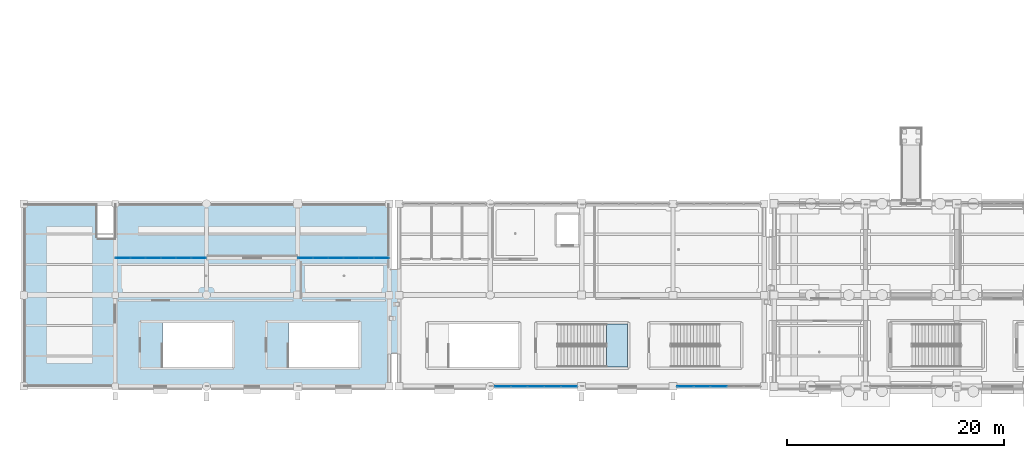
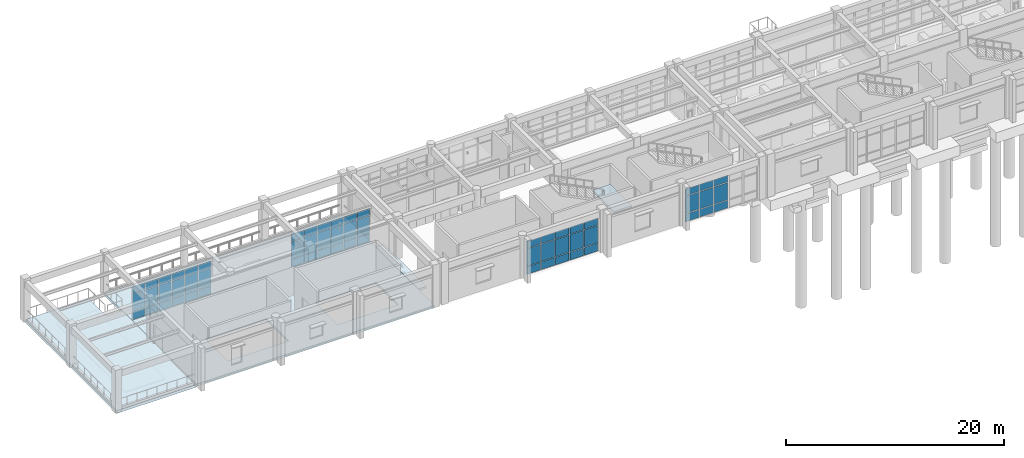
# One storey, part 73 of 111: 60 plates, 5 slabs, 5 elements without a shape of their own.
"""IFC4 building model written with IfcOpenShell, lengths in metres."""

import ifcopenshell
import ifcopenshell.guid

model = None  # the IFC model being written
_history = None  # IfcOwnerHistory: only IFC2X3 demands one
_inside = {}  # id of a spatial element -> (the spatial element, [elements in it])
_under = {}  # id of a project, library or spatial element -> (it, [spatial elements below it])
_declared = {}  # id of a project -> (the project, [libraries it declares])
_typed = {}  # id of a type object -> (the type object, [elements of that type])
_made_of = {}  # id of a material, layer set ... -> (it, [elements and type objects made of it])


def new_model(schema):
    """Start an empty IFC model of exactly this schema.

    Asked for "IFC4X3", IfcOpenShell would pick the latest addendum, in which some entities
    have other attributes; the version numbers below select the first issue.
    IFC2X3 requires an IfcOwnerHistory on every rooted entity: one is made here for all.
    """
    global model, _history
    if schema == "IFC4X3":
        model = ifcopenshell.file(schema_version=(4, 3, 0, 0))
    else:
        model = ifcopenshell.file(schema=schema)
    _inside.clear()
    _under.clear()
    _declared.clear()
    _typed.clear()
    _made_of.clear()
    _history = None
    if model.schema == "IFC2X3":
        org = make("IfcOrganization", Name="unknown")
        user = make(
            "IfcPersonAndOrganization",
            ThePerson=make("IfcPerson", FamilyName="unknown"),
            TheOrganization=org,
        )
        app = make(
            "IfcApplication",
            ApplicationDeveloper=org,
            Version="unknown",
            ApplicationFullName="unknown",
            ApplicationIdentifier="unknown",
        )
        _history = make(
            "IfcOwnerHistory",
            OwningUser=user,
            OwningApplication=app,
            ChangeAction="ADDED",
            CreationDate=0,
        )
    return model


def make(cls, **values):
    """One entity of the class cls with the attributes given. An attribute that is None is left unset."""
    return model.create_entity(
        cls, **{name: value for name, value in values.items() if value is not None}
    )


def rooted(cls, **values):
    """An entity with a GlobalId (a new one), such as an element, a storey or a relation."""
    return make(cls, GlobalId=ifcopenshell.guid.new(), OwnerHistory=_history, **values)


def si_unit(unit_type, name, prefix=None):
    """IfcSIUnit, for example si_unit("LENGTHUNIT", "METRE", prefix="MILLI")."""
    return make("IfcSIUnit", UnitType=unit_type, Prefix=prefix, Name=name)


def assignment(units):
    """IfcUnitAssignment: the units of a project."""
    return None if units is None else make("IfcUnitAssignment", Units=units)


def point(xyz):
    """IfcCartesianPoint."""
    return None if xyz is None else make("IfcCartesianPoint", Coordinates=xyz)


def direction(xyz):
    """IfcDirection."""
    return None if xyz is None else make("IfcDirection", DirectionRatios=xyz)


def frame(location, z_axis=None, x_axis=None):
    """IfcAxis2Placement3D, a coordinate frame: its origin and axes. An axis left out is left unset."""
    return make(
        "IfcAxis2Placement3D",
        Location=point(location),
        Axis=direction(z_axis),
        RefDirection=direction(x_axis),
    )


def frame_2d(location, x_axis=None):
    """IfcAxis2Placement2D, a coordinate frame in the plane: its origin and x axis."""
    return make(
        "IfcAxis2Placement2D", Location=point(location), RefDirection=direction(x_axis)
    )


def origin():
    """The frame at (0, 0, 0) with its axes left unset."""
    return frame((0.0, 0.0, 0.0))


def origin_2d():
    """The frame at (0, 0) in the plane with its x axis left unset."""
    return frame_2d((0.0, 0.0))


def place(relative_to, where):
    """IfcLocalPlacement: puts the frame where relative to a parent placement (None: the world)."""
    return make(
        "IfcLocalPlacement", PlacementRelTo=relative_to, RelativePlacement=where
    )


def context(
    kind, dimensions, precision=None, world=None, true_north=None, identifier=None
):
    """IfcGeometricRepresentationContext, for example the 3D "Model" context."""
    return make(
        "IfcGeometricRepresentationContext",
        ContextIdentifier=identifier,
        ContextType=kind,
        CoordinateSpaceDimension=dimensions,
        Precision=precision,
        WorldCoordinateSystem=world,
        TrueNorth=true_north,
    )


def subcontext(parent, identifier, kind, view, scale=None):
    """IfcGeometricRepresentationSubContext, for example "Body" below "Model"."""
    return make(
        "IfcGeometricRepresentationSubContext",
        ContextIdentifier=identifier,
        ContextType=kind,
        ParentContext=parent,
        TargetScale=scale,
        TargetView=view,
    )


def project(units=None, contexts=None):
    """IfcProject with its units and contexts."""
    return rooted(
        "IfcProject",
        Name="project",
        RepresentationContexts=contexts,
        UnitsInContext=assignment(units),
    )


def spatial(cls, under=None, at=None, **own):
    """A site, building, storey or space (cls), placed at a placement, below another one or the project."""
    s = rooted(cls, ObjectPlacement=at, **own)
    if under is not None:
        _under.setdefault(under.id(), (under, []))[1].append(s)
    return s


def polyline(points):
    """IfcPolyline through the points."""
    return make("IfcPolyline", Points=[point(p) for p in points])


def profile(cls, at=None, kind="AREA", **sizes):
    """A parametric profile (cls). Its sizes go by their IFC names, for example OverallWidth=200.0."""
    return make(cls, ProfileType=kind, Position=at, **sizes)


def rectangle(**sizes):
    """IfcRectangleProfileDef."""
    return profile("IfcRectangleProfileDef", **sizes)


def outline(outer, holes=None, kind="AREA"):
    """IfcArbitraryClosedProfileDef: a profile drawn as a closed curve; with holes, ...WithVoids."""
    if holes is None:
        return make("IfcArbitraryClosedProfileDef", ProfileType=kind, OuterCurve=outer)
    return make(
        "IfcArbitraryProfileDefWithVoids",
        ProfileType=kind,
        OuterCurve=outer,
        InnerCurves=holes,
    )


def extrude(swept, where, along, depth):
    """IfcExtrudedAreaSolid: the profile swept, set in the frame where, extruded along a direction by depth."""
    return make(
        "IfcExtrudedAreaSolid",
        SweptArea=swept,
        Position=where,
        ExtrudedDirection=direction(along),
        Depth=depth,
    )


def shape(context_of_items, identifier, shape_type, items):
    """IfcShapeRepresentation: the items that make up one representation, for example the "Body"."""
    return make(
        "IfcShapeRepresentation",
        ContextOfItems=context_of_items,
        RepresentationIdentifier=identifier,
        RepresentationType=shape_type,
        Items=items,
    )


def material(Name=None, Category=None):
    """IfcMaterial."""
    return make("IfcMaterial", Name=Name, Category=Category)


def layer(
    of_material, thickness, ventilated=None, Name=None, Category=None, Priority=None
):
    """IfcMaterialLayer: one layer of a wall or slab, of a material (None: an air gap)."""
    return make(
        "IfcMaterialLayer",
        Material=of_material,
        LayerThickness=thickness,
        IsVentilated=ventilated,
        Name=Name,
        Category=Category,
        Priority=Priority,
    )


def layer_set(layers, Name=None):
    """IfcMaterialLayerSet."""
    return make("IfcMaterialLayerSet", MaterialLayers=layers, LayerSetName=Name)


def made_of(thing, what):
    """Note that an element or type object is made of a material, layer set ...; save() writes the relation."""
    if what is not None:
        _made_of.setdefault(what.id(), (what, []))[1].append(thing)
    return thing


def type_object(cls, material=None, **own):
    """A type object (cls), such as IfcWallType, which elements share."""
    return made_of(rooted(cls, **own), material)


def element(
    cls,
    number,
    at=None,
    inside=None,
    cuts=None,
    type_object=None,
    material=None,
    context=None,
    identifier="Body",
    shape_type=None,
    held_by="IfcProductDefinitionShape",
    body=None,
    shapes=None,
    **own,
):
    """One element of the class cls, such as IfcWall. Its Tag is "e" and its number.

    at: its placement. inside: the storey or other place that contains it. cuts: it is an
    opening in that element (IfcRelVoidsElement). A single representation is given by context,
    identifier, shape_type and body (its items); several are given by shapes. held_by: the class
    of the entity that holds the representations. save() writes the other relations.
    """
    e = rooted(cls, Tag="e%d" % number, ObjectPlacement=at, **own)
    if body is not None:
        shapes = [shape(context, identifier, shape_type, body)]
    if shapes is not None:
        e.Representation = make(held_by, Representations=shapes)
    if inside is not None:
        _inside.setdefault(inside.id(), (inside, []))[1].append(e)
    if cuts is not None:
        rooted(
            "IfcRelVoidsElement", RelatingBuildingElement=cuts, RelatedOpeningElement=e
        )
    if type_object is not None:
        _typed.setdefault(type_object.id(), (type_object, []))[1].append(e)
    return made_of(e, material)


def aggregate(whole, parts):
    """IfcRelAggregates: a whole, such as a stair, and the parts it consists of."""
    return rooted("IfcRelAggregates", RelatingObject=whole, RelatedObjects=parts)


def save(model, path):
    """Write the relations noted so far, then the file.

    IfcRelAggregates (storeys below a building ...), IfcRelContainedInSpatialStructure (elements
    in a storey), IfcRelDefinesByType, IfcRelAssociatesMaterial and IfcRelDeclares: one each for
    every whole, place, type object, material and project.
    """
    for whole, parts in _under.values():
        aggregate(whole, parts)
    for where, things in _inside.values():
        rooted(
            "IfcRelContainedInSpatialStructure",
            RelatedElements=things,
            RelatingStructure=where,
        )
    for kind, things in _typed.values():
        rooted("IfcRelDefinesByType", RelatedObjects=things, RelatingType=kind)
    for what, things in _made_of.values():
        rooted("IfcRelAssociatesMaterial", RelatedObjects=things, RelatingMaterial=what)
    for by, libraries in _declared.values():
        rooted("IfcRelDeclares", RelatingContext=by, RelatedDefinitions=libraries)
    model.write(path)


model = new_model("IFC4")

# Units and contexts
model_context = context("Model", 3, precision=1e-05, world=origin(), true_north=direction((0.0, 1.0)))
body_context = subcontext(model_context, "Body", "Model", "MODEL_VIEW")
ifc_project = project(units=[si_unit("LENGTHUNIT", "METRE"), si_unit("AREAUNIT", "SQUARE_METRE"), si_unit("VOLUMEUNIT", "CUBIC_METRE"), si_unit("PLANEANGLEUNIT", "RADIAN"), si_unit("MASSUNIT", "GRAM", prefix="KILO")], contexts=[model_context])

# Site, building, storey
site_placement = place(None, origin())
site = spatial("IfcSite", under=ifc_project, at=site_placement, CompositionType="ELEMENT")
building_placement = place(site_placement, origin())
building = spatial("IfcBuilding", under=site, at=building_placement, Name="Canglan Escarpment Cableway Terminal", CompositionType="ELEMENT")
storey_placement = place(building_placement, frame((0.0, 0.0, 4.800048828125)))
storey = spatial("IfcBuildingStorey", under=building, at=storey_placement, Name="L01", CompositionType="ELEMENT", Elevation=4.800048828125)

# Curtain wall, plates
ifc_material_1 = material(Name="Anodized bronze aluminium and Low-E double glazing", Category="aluminium")
curtain_wall_type_1 = type_object("IfcCurtainWallType", Name="CW-BAY-8400x3775", PredefinedType="NOTDEFINED", material=ifc_material_1)
curtain_wall_1_placement = place(storey_placement, origin())
curtain_wall_1 = element("IfcCurtainWall", 1, at=curtain_wall_1_placement, inside=storey, type_object=curtain_wall_type_1, Name="Classical bay-between-piers glazed curtain wall CW-02", PredefinedType="NOTDEFINED")
ifc_material_2 = material(Name="Double-silver Low-E laminated insulating glass", Category="glass")
ifc_layer_1 = layer(ifc_material_2, 0.028076171875, Name="Double-silver Low-E laminated insulating glass")
ifc_layer_set_1 = layer_set([ifc_layer_1], Name="Double-silver Low-E laminated insulating glass")
plate_type_1 = type_object("IfcPlateType", Name="CWP-02", PredefinedType="CURTAIN_PANEL", material=ifc_layer_set_1)
plate_1_placement = place(storey_placement, frame((24.083740234375, 19.800048828125, 0.06005859375), z_axis=(0.0, 0.0, 1.0), x_axis=(-1.0, 0.0, 0.0)))
plate_1 = element("IfcPlate", 2, at=plate_1_placement, type_object=plate_type_1, Name="CW-02 panel 1.1", PredefinedType="CURTAIN_PANEL", context=body_context, shape_type="SweptSolid", body=[
    extrude(rectangle(XDim=1.302490234375, YDim=0.028076171875, at=origin_2d()), origin(), (0.0, 0.0, 1.0), 0.860107421875),
])
plate_2_placement = place(storey_placement, frame((24.083740234375, 19.800048828125, 0.97998046875), z_axis=(0.0, 0.0, 1.0), x_axis=(-1.0, 0.0, 0.0)))
plate_2 = element("IfcPlate", 3, at=plate_2_placement, type_object=plate_type_1, Name="CW-02 panel 1.2", PredefinedType="CURTAIN_PANEL", context=body_context, shape_type="SweptSolid", body=[
    extrude(rectangle(XDim=1.302490234375, YDim=0.028076171875, at=origin_2d()), origin(), (0.0, 0.0, 1.0), 1.925048828125),
])
plate_3_placement = place(storey_placement, frame((24.083740234375, 19.800048828125, 2.96484375), z_axis=(0.0, 0.0, 1.0), x_axis=(-1.0, 0.0, 0.0)))
plate_3 = element("IfcPlate", 4, at=plate_3_placement, type_object=plate_type_1, Name="CW-02 panel 1.3", PredefinedType="CURTAIN_PANEL", context=body_context, shape_type="SweptSolid", body=[
    extrude(rectangle(XDim=1.302490234375, YDim=0.028076171875, at=origin_2d()), origin(), (0.0, 0.0, 1.0), 0.760009765625),
])
plate_4_placement = place(storey_placement, frame((22.699951171875, 19.800048828125, 0.06005859375), z_axis=(0.0, 0.0, 1.0), x_axis=(-1.0, 0.0, 0.0)))
plate_4 = element("IfcPlate", 5, at=plate_4_placement, type_object=plate_type_1, Name="CW-02 panel 2.1", PredefinedType="CURTAIN_PANEL", context=body_context, shape_type="SweptSolid", body=[
    extrude(rectangle(XDim=1.3349609375, YDim=0.028076171875, at=origin_2d()), origin(), (0.0, 0.0, 1.0), 0.860107421875),
])
plate_5_placement = place(storey_placement, frame((22.699951171875, 19.800048828125, 0.97998046875), z_axis=(0.0, 0.0, 1.0), x_axis=(-1.0, 0.0, 0.0)))
plate_5 = element("IfcPlate", 6, at=plate_5_placement, type_object=plate_type_1, Name="CW-02 panel 2.2", PredefinedType="CURTAIN_PANEL", context=body_context, shape_type="SweptSolid", body=[
    extrude(rectangle(XDim=1.3349609375, YDim=0.028076171875, at=origin_2d()), origin(), (0.0, 0.0, 1.0), 1.925048828125),
])
plate_6_placement = place(storey_placement, frame((22.699951171875, 19.800048828125, 2.96484375), z_axis=(0.0, 0.0, 1.0), x_axis=(-1.0, 0.0, 0.0)))
plate_6 = element("IfcPlate", 7, at=plate_6_placement, type_object=plate_type_1, Name="CW-02 panel 2.3", PredefinedType="CURTAIN_PANEL", context=body_context, shape_type="SweptSolid", body=[
    extrude(rectangle(XDim=1.3349609375, YDim=0.028076171875, at=origin_2d()), origin(), (0.0, 0.0, 1.0), 0.760009765625),
])
plate_7_placement = place(storey_placement, frame((21.300048828125, 19.800048828125, 0.06005859375), z_axis=(0.0, 0.0, 1.0), x_axis=(-1.0, 0.0, 0.0)))
plate_7 = element("IfcPlate", 8, at=plate_7_placement, type_object=plate_type_1, Name="CW-02 panel 3.1", PredefinedType="CURTAIN_PANEL", context=body_context, shape_type="SweptSolid", body=[
    extrude(rectangle(XDim=1.3349609375, YDim=0.028076171875, at=origin_2d()), origin(), (0.0, 0.0, 1.0), 0.860107421875),
])
plate_8_placement = place(storey_placement, frame((21.300048828125, 19.800048828125, 0.97998046875), z_axis=(0.0, 0.0, 1.0), x_axis=(-1.0, 0.0, 0.0)))
plate_8 = element("IfcPlate", 9, at=plate_8_placement, type_object=plate_type_1, Name="CW-02 panel 3.2", PredefinedType="CURTAIN_PANEL", context=body_context, shape_type="SweptSolid", body=[
    extrude(rectangle(XDim=1.3349609375, YDim=0.028076171875, at=origin_2d()), origin(), (0.0, 0.0, 1.0), 1.925048828125),
])
plate_9_placement = place(storey_placement, frame((21.300048828125, 19.800048828125, 2.96484375), z_axis=(0.0, 0.0, 1.0), x_axis=(-1.0, 0.0, 0.0)))
plate_9 = element("IfcPlate", 10, at=plate_9_placement, type_object=plate_type_1, Name="CW-02 panel 3.3", PredefinedType="CURTAIN_PANEL", context=body_context, shape_type="SweptSolid", body=[
    extrude(rectangle(XDim=1.3349609375, YDim=0.028076171875, at=origin_2d()), origin(), (0.0, 0.0, 1.0), 0.760009765625),
])
plate_10_placement = place(storey_placement, frame((19.89990234375, 19.800048828125, 0.06005859375), z_axis=(0.0, 0.0, 1.0), x_axis=(-1.0, 0.0, 0.0)))
plate_10 = element("IfcPlate", 11, at=plate_10_placement, type_object=plate_type_1, Name="CW-02 panel 4.1", PredefinedType="CURTAIN_PANEL", context=body_context, shape_type="SweptSolid", body=[
    extrude(rectangle(XDim=1.3349609375, YDim=0.028076171875, at=origin_2d()), origin(), (0.0, 0.0, 1.0), 0.860107421875),
])
plate_11_placement = place(storey_placement, frame((19.89990234375, 19.800048828125, 0.97998046875), z_axis=(0.0, 0.0, 1.0), x_axis=(-1.0, 0.0, 0.0)))
plate_11 = element("IfcPlate", 12, at=plate_11_placement, type_object=plate_type_1, Name="CW-02 panel 4.2", PredefinedType="CURTAIN_PANEL", context=body_context, shape_type="SweptSolid", body=[
    extrude(rectangle(XDim=1.3349609375, YDim=0.028076171875, at=origin_2d()), origin(), (0.0, 0.0, 1.0), 1.925048828125),
])
plate_12_placement = place(storey_placement, frame((19.89990234375, 19.800048828125, 2.96484375), z_axis=(0.0, 0.0, 1.0), x_axis=(-1.0, 0.0, 0.0)))
plate_12 = element("IfcPlate", 13, at=plate_12_placement, type_object=plate_type_1, Name="CW-02 panel 4.3", PredefinedType="CURTAIN_PANEL", context=body_context, shape_type="SweptSolid", body=[
    extrude(rectangle(XDim=1.3349609375, YDim=0.028076171875, at=origin_2d()), origin(), (0.0, 0.0, 1.0), 0.760009765625),
])
plate_13_placement = place(storey_placement, frame((18.5, 19.800048828125, 0.06005859375), z_axis=(0.0, 0.0, 1.0), x_axis=(-1.0, 0.0, 0.0)))
plate_13 = element("IfcPlate", 14, at=plate_13_placement, type_object=plate_type_1, Name="CW-02 panel 5.1", PredefinedType="CURTAIN_PANEL", context=body_context, shape_type="SweptSolid", body=[
    extrude(rectangle(XDim=1.3349609375, YDim=0.028076171875, at=origin_2d()), origin(), (0.0, 0.0, 1.0), 0.860107421875),
])
plate_14_placement = place(storey_placement, frame((18.5, 19.800048828125, 0.97998046875), z_axis=(0.0, 0.0, 1.0), x_axis=(-1.0, 0.0, 0.0)))
plate_14 = element("IfcPlate", 15, at=plate_14_placement, type_object=plate_type_1, Name="CW-02 panel 5.2", PredefinedType="CURTAIN_PANEL", context=body_context, shape_type="SweptSolid", body=[
    extrude(rectangle(XDim=1.3349609375, YDim=0.028076171875, at=origin_2d()), origin(), (0.0, 0.0, 1.0), 1.925048828125),
])
plate_15_placement = place(storey_placement, frame((18.5, 19.800048828125, 2.96484375), z_axis=(0.0, 0.0, 1.0), x_axis=(-1.0, 0.0, 0.0)))
plate_15 = element("IfcPlate", 16, at=plate_15_placement, type_object=plate_type_1, Name="CW-02 panel 5.3", PredefinedType="CURTAIN_PANEL", context=body_context, shape_type="SweptSolid", body=[
    extrude(rectangle(XDim=1.3349609375, YDim=0.028076171875, at=origin_2d()), origin(), (0.0, 0.0, 1.0), 0.760009765625),
])
plate_16_placement = place(storey_placement, frame((17.1162109375, 19.800048828125, 0.06005859375), z_axis=(0.0, 0.0, 1.0), x_axis=(-1.0, 0.0, 0.0)))
plate_16 = element("IfcPlate", 17, at=plate_16_placement, type_object=plate_type_1, Name="CW-02 panel 6.1", PredefinedType="CURTAIN_PANEL", context=body_context, shape_type="SweptSolid", body=[
    extrude(rectangle(XDim=1.302490234375, YDim=0.028076171875, at=origin_2d()), origin(), (0.0, 0.0, 1.0), 0.860107421875),
])
plate_17_placement = place(storey_placement, frame((17.1162109375, 19.800048828125, 0.97998046875), z_axis=(0.0, 0.0, 1.0), x_axis=(-1.0, 0.0, 0.0)))
plate_17 = element("IfcPlate", 18, at=plate_17_placement, type_object=plate_type_1, Name="CW-02 panel 6.2", PredefinedType="CURTAIN_PANEL", context=body_context, shape_type="SweptSolid", body=[
    extrude(rectangle(XDim=1.302490234375, YDim=0.028076171875, at=origin_2d()), origin(), (0.0, 0.0, 1.0), 1.925048828125),
])
plate_18_placement = place(storey_placement, frame((17.1162109375, 19.800048828125, 2.96484375), z_axis=(0.0, 0.0, 1.0), x_axis=(-1.0, 0.0, 0.0)))
plate_18 = element("IfcPlate", 19, at=plate_18_placement, type_object=plate_type_1, Name="CW-02 panel 6.3", PredefinedType="CURTAIN_PANEL", context=body_context, shape_type="SweptSolid", body=[
    extrude(rectangle(XDim=1.302490234375, YDim=0.028076171875, at=origin_2d()), origin(), (0.0, 0.0, 1.0), 0.760009765625),
])
aggregate(curtain_wall_1, [plate_1, plate_2, plate_3, plate_4, plate_5, plate_6, plate_7, plate_8, plate_9, plate_10, plate_11, plate_12, plate_13, plate_14, plate_15, plate_16, plate_17, plate_18])

curtain_wall_type_2 = type_object("IfcCurtainWallType", Name="CW-BAY-7700x3775", PredefinedType="NOTDEFINED", material=ifc_material_1)
curtain_wall_2_placement = place(storey_placement, origin())
curtain_wall_2 = element("IfcCurtainWall", 20, at=curtain_wall_2_placement, inside=storey, type_object=curtain_wall_type_2, Name="Classical bay-between-piers glazed curtain wall CW-04", PredefinedType="NOTDEFINED")
plate_19_placement = place(storey_placement, frame((68.836181640625, 8.0, 0.06494140625), z_axis=(0.0, 0.0, 1.0), x_axis=(1.0, 0.0, 0.0)))
plate_19 = element("IfcPlate", 21, at=plate_19_placement, type_object=plate_type_1, Name="CW-04 panel 1.1", PredefinedType="CURTAIN_PANEL", context=body_context, shape_type="SweptSolid", body=[
    extrude(rectangle(XDim=1.4423828125, YDim=0.028076171875, at=origin_2d()), origin(), (0.0, 0.0, 1.0), 0.8525390625),
])
plate_20_placement = place(storey_placement, frame((68.836181640625, 8.0, 0.982421875), z_axis=(0.0, 0.0, 1.0), x_axis=(1.0, 0.0, 0.0)))
plate_20 = element("IfcPlate", 22, at=plate_20_placement, type_object=plate_type_1, Name="CW-04 panel 1.2", PredefinedType="CURTAIN_PANEL", context=body_context, shape_type="SweptSolid", body=[
    extrude(rectangle(XDim=1.4423828125, YDim=0.028076171875, at=origin_2d()), origin(), (0.0, 0.0, 1.0), 1.919921875),
])
plate_21_placement = place(storey_placement, frame((68.836181640625, 8.0, 2.967529296875), z_axis=(0.0, 0.0, 1.0), x_axis=(1.0, 0.0, 0.0)))
plate_21 = element("IfcPlate", 23, at=plate_21_placement, type_object=plate_type_1, Name="CW-04 panel 1.3", PredefinedType="CURTAIN_PANEL", context=body_context, shape_type="SweptSolid", body=[
    extrude(rectangle(XDim=1.4423828125, YDim=0.028076171875, at=origin_2d()), origin(), (0.0, 0.0, 1.0), 0.75244140625),
])
plate_22_placement = place(storey_placement, frame((70.360107421875, 8.0, 0.06494140625), z_axis=(0.0, 0.0, 1.0), x_axis=(1.0, 0.0, 0.0)))
plate_22 = element("IfcPlate", 24, at=plate_22_placement, type_object=plate_type_1, Name="CW-04 panel 2.1", PredefinedType="CURTAIN_PANEL", context=body_context, shape_type="SweptSolid", body=[
    extrude(rectangle(XDim=1.47509765625, YDim=0.028076171875, at=origin_2d()), origin(), (0.0, 0.0, 1.0), 0.8525390625),
])
plate_23_placement = place(storey_placement, frame((70.360107421875, 8.0, 0.982421875), z_axis=(0.0, 0.0, 1.0), x_axis=(1.0, 0.0, 0.0)))
plate_23 = element("IfcPlate", 25, at=plate_23_placement, type_object=plate_type_1, Name="CW-04 panel 2.2", PredefinedType="CURTAIN_PANEL", context=body_context, shape_type="SweptSolid", body=[
    extrude(rectangle(XDim=1.47509765625, YDim=0.028076171875, at=origin_2d()), origin(), (0.0, 0.0, 1.0), 1.919921875),
])
plate_24_placement = place(storey_placement, frame((70.360107421875, 8.0, 2.967529296875), z_axis=(0.0, 0.0, 1.0), x_axis=(1.0, 0.0, 0.0)))
plate_24 = element("IfcPlate", 26, at=plate_24_placement, type_object=plate_type_1, Name="CW-04 panel 2.3", PredefinedType="CURTAIN_PANEL", context=body_context, shape_type="SweptSolid", body=[
    extrude(rectangle(XDim=1.47509765625, YDim=0.028076171875, at=origin_2d()), origin(), (0.0, 0.0, 1.0), 0.75244140625),
])
plate_25_placement = place(storey_placement, frame((71.89990234375, 8.0, 0.06494140625), z_axis=(0.0, 0.0, 1.0), x_axis=(1.0, 0.0, 0.0)))
plate_25 = element("IfcPlate", 27, at=plate_25_placement, type_object=plate_type_1, Name="CW-04 panel 3.1", PredefinedType="CURTAIN_PANEL", context=body_context, shape_type="SweptSolid", body=[
    extrude(rectangle(XDim=1.47509765625, YDim=0.028076171875, at=origin_2d()), origin(), (0.0, 0.0, 1.0), 0.8525390625),
])
plate_26_placement = place(storey_placement, frame((71.89990234375, 8.0, 0.982421875), z_axis=(0.0, 0.0, 1.0), x_axis=(1.0, 0.0, 0.0)))
plate_26 = element("IfcPlate", 28, at=plate_26_placement, type_object=plate_type_1, Name="CW-04 panel 3.2", PredefinedType="CURTAIN_PANEL", context=body_context, shape_type="SweptSolid", body=[
    extrude(rectangle(XDim=1.47509765625, YDim=0.028076171875, at=origin_2d()), origin(), (0.0, 0.0, 1.0), 1.919921875),
])
plate_27_placement = place(storey_placement, frame((71.89990234375, 8.0, 2.967529296875), z_axis=(0.0, 0.0, 1.0), x_axis=(1.0, 0.0, 0.0)))
plate_27 = element("IfcPlate", 29, at=plate_27_placement, type_object=plate_type_1, Name="CW-04 panel 3.3", PredefinedType="CURTAIN_PANEL", context=body_context, shape_type="SweptSolid", body=[
    extrude(rectangle(XDim=1.47509765625, YDim=0.028076171875, at=origin_2d()), origin(), (0.0, 0.0, 1.0), 0.75244140625),
])
aggregate(curtain_wall_2, [plate_19, plate_20, plate_21, plate_22, plate_23, plate_24, plate_25, plate_26, plate_27])

curtain_wall_3_placement = place(storey_placement, origin())
curtain_wall_3 = element("IfcCurtainWall", 30, at=curtain_wall_3_placement, inside=storey, type_object=curtain_wall_type_1, Name="Classical bay-between-piers glazed curtain wall CW-02", PredefinedType="NOTDEFINED")
ifc_layer_2 = layer(ifc_material_2, 0.035888671875, Name="Double-silver Low-E laminated insulating glass")
ifc_layer_set_2 = layer_set([ifc_layer_2], Name="Double-silver Low-E laminated insulating glass")
plate_type_2 = type_object("IfcPlateType", Name="CWP-04", PredefinedType="CURTAIN_PANEL", material=ifc_layer_set_2)
plate_28_placement = place(storey_placement, frame((40.885009765625, 19.800048828125, 0.05517578125), z_axis=(0.0, 0.0, 1.0), x_axis=(-1.0, 0.0, 0.0)))
plate_28 = element("IfcPlate", 31, at=plate_28_placement, type_object=plate_type_2, Name="CW-02 panel 1.1", PredefinedType="CURTAIN_PANEL", context=body_context, shape_type="SweptSolid", body=[
    extrude(rectangle(XDim=1.31005859375, YDim=0.035888671875, at=origin_2d()), origin(), (0.0, 0.0, 1.0), 0.867431640625),
])
plate_29_placement = place(storey_placement, frame((40.885009765625, 19.800048828125, 0.9775390625), z_axis=(0.0, 0.0, 1.0), x_axis=(-1.0, 0.0, 0.0)))
plate_29 = element("IfcPlate", 32, at=plate_29_placement, type_object=plate_type_2, Name="CW-02 panel 1.2", PredefinedType="CURTAIN_PANEL", context=body_context, shape_type="SweptSolid", body=[
    extrude(rectangle(XDim=1.31005859375, YDim=0.035888671875, at=origin_2d()), origin(), (0.0, 0.0, 1.0), 1.929931640625),
])
plate_30_placement = place(storey_placement, frame((40.885009765625, 19.800048828125, 2.96240234375), z_axis=(0.0, 0.0, 1.0), x_axis=(-1.0, 0.0, 0.0)))
plate_30 = element("IfcPlate", 33, at=plate_30_placement, type_object=plate_type_2, Name="CW-02 panel 1.3", PredefinedType="CURTAIN_PANEL", context=body_context, shape_type="SweptSolid", body=[
    extrude(rectangle(XDim=1.31005859375, YDim=0.035888671875, at=origin_2d()), origin(), (0.0, 0.0, 1.0), 0.767578125),
])
plate_31_placement = place(storey_placement, frame((39.5, 19.800048828125, 0.05517578125), z_axis=(0.0, 0.0, 1.0), x_axis=(-1.0, 0.0, 0.0)))
plate_31 = element("IfcPlate", 34, at=plate_31_placement, type_object=plate_type_2, Name="CW-02 panel 2.1", PredefinedType="CURTAIN_PANEL", context=body_context, shape_type="SweptSolid", body=[
    extrude(rectangle(XDim=1.340087890625, YDim=0.035888671875, at=origin_2d()), origin(), (0.0, 0.0, 1.0), 0.867431640625),
])
plate_32_placement = place(storey_placement, frame((39.5, 19.800048828125, 0.9775390625), z_axis=(0.0, 0.0, 1.0), x_axis=(-1.0, 0.0, 0.0)))
plate_32 = element("IfcPlate", 35, at=plate_32_placement, type_object=plate_type_2, Name="CW-02 panel 2.2", PredefinedType="CURTAIN_PANEL", context=body_context, shape_type="SweptSolid", body=[
    extrude(rectangle(XDim=1.340087890625, YDim=0.035888671875, at=origin_2d()), origin(), (0.0, 0.0, 1.0), 1.929931640625),
])
plate_33_placement = place(storey_placement, frame((39.5, 19.800048828125, 2.96240234375), z_axis=(0.0, 0.0, 1.0), x_axis=(-1.0, 0.0, 0.0)))
plate_33 = element("IfcPlate", 36, at=plate_33_placement, type_object=plate_type_2, Name="CW-02 panel 2.3", PredefinedType="CURTAIN_PANEL", context=body_context, shape_type="SweptSolid", body=[
    extrude(rectangle(XDim=1.340087890625, YDim=0.035888671875, at=origin_2d()), origin(), (0.0, 0.0, 1.0), 0.767578125),
])
plate_34_placement = place(storey_placement, frame((38.10009765625, 19.800048828125, 0.05517578125), z_axis=(0.0, 0.0, 1.0), x_axis=(-1.0, 0.0, 0.0)))
plate_34 = element("IfcPlate", 37, at=plate_34_placement, type_object=plate_type_2, Name="CW-02 panel 3.1", PredefinedType="CURTAIN_PANEL", context=body_context, shape_type="SweptSolid", body=[
    extrude(rectangle(XDim=1.340087890625, YDim=0.035888671875, at=origin_2d()), origin(), (0.0, 0.0, 1.0), 0.867431640625),
])
plate_35_placement = place(storey_placement, frame((38.10009765625, 19.800048828125, 0.9775390625), z_axis=(0.0, 0.0, 1.0), x_axis=(-1.0, 0.0, 0.0)))
plate_35 = element("IfcPlate", 38, at=plate_35_placement, type_object=plate_type_2, Name="CW-02 panel 3.2", PredefinedType="CURTAIN_PANEL", context=body_context, shape_type="SweptSolid", body=[
    extrude(rectangle(XDim=1.340087890625, YDim=0.035888671875, at=origin_2d()), origin(), (0.0, 0.0, 1.0), 1.929931640625),
])
plate_36_placement = place(storey_placement, frame((38.10009765625, 19.800048828125, 2.96240234375), z_axis=(0.0, 0.0, 1.0), x_axis=(-1.0, 0.0, 0.0)))
plate_36 = element("IfcPlate", 39, at=plate_36_placement, type_object=plate_type_2, Name="CW-02 panel 3.3", PredefinedType="CURTAIN_PANEL", context=body_context, shape_type="SweptSolid", body=[
    extrude(rectangle(XDim=1.340087890625, YDim=0.035888671875, at=origin_2d()), origin(), (0.0, 0.0, 1.0), 0.767578125),
])
plate_37_placement = place(storey_placement, frame((36.699951171875, 19.800048828125, 0.05517578125), z_axis=(0.0, 0.0, 1.0), x_axis=(-1.0, 0.0, 0.0)))
plate_37 = element("IfcPlate", 40, at=plate_37_placement, type_object=plate_type_2, Name="CW-02 panel 4.1", PredefinedType="CURTAIN_PANEL", context=body_context, shape_type="SweptSolid", body=[
    extrude(rectangle(XDim=1.340087890625, YDim=0.035888671875, at=origin_2d()), origin(), (0.0, 0.0, 1.0), 0.867431640625),
])
plate_38_placement = place(storey_placement, frame((36.699951171875, 19.800048828125, 0.9775390625), z_axis=(0.0, 0.0, 1.0), x_axis=(-1.0, 0.0, 0.0)))
plate_38 = element("IfcPlate", 41, at=plate_38_placement, type_object=plate_type_2, Name="CW-02 panel 4.2", PredefinedType="CURTAIN_PANEL", context=body_context, shape_type="SweptSolid", body=[
    extrude(rectangle(XDim=1.340087890625, YDim=0.035888671875, at=origin_2d()), origin(), (0.0, 0.0, 1.0), 1.929931640625),
])
plate_39_placement = place(storey_placement, frame((36.699951171875, 19.800048828125, 2.96240234375), z_axis=(0.0, 0.0, 1.0), x_axis=(-1.0, 0.0, 0.0)))
plate_39 = element("IfcPlate", 42, at=plate_39_placement, type_object=plate_type_2, Name="CW-02 panel 4.3", PredefinedType="CURTAIN_PANEL", context=body_context, shape_type="SweptSolid", body=[
    extrude(rectangle(XDim=1.340087890625, YDim=0.035888671875, at=origin_2d()), origin(), (0.0, 0.0, 1.0), 0.767578125),
])
plate_40_placement = place(storey_placement, frame((35.300048828125, 19.800048828125, 0.05517578125), z_axis=(0.0, 0.0, 1.0), x_axis=(-1.0, 0.0, 0.0)))
plate_40 = element("IfcPlate", 43, at=plate_40_placement, type_object=plate_type_2, Name="CW-02 panel 5.1", PredefinedType="CURTAIN_PANEL", context=body_context, shape_type="SweptSolid", body=[
    extrude(rectangle(XDim=1.340087890625, YDim=0.035888671875, at=origin_2d()), origin(), (0.0, 0.0, 1.0), 0.867431640625),
])
plate_41_placement = place(storey_placement, frame((35.300048828125, 19.800048828125, 0.9775390625), z_axis=(0.0, 0.0, 1.0), x_axis=(-1.0, 0.0, 0.0)))
plate_41 = element("IfcPlate", 44, at=plate_41_placement, type_object=plate_type_2, Name="CW-02 panel 5.2", PredefinedType="CURTAIN_PANEL", context=body_context, shape_type="SweptSolid", body=[
    extrude(rectangle(XDim=1.340087890625, YDim=0.035888671875, at=origin_2d()), origin(), (0.0, 0.0, 1.0), 1.929931640625),
])
plate_42_placement = place(storey_placement, frame((35.300048828125, 19.800048828125, 2.96240234375), z_axis=(0.0, 0.0, 1.0), x_axis=(-1.0, 0.0, 0.0)))
plate_42 = element("IfcPlate", 45, at=plate_42_placement, type_object=plate_type_2, Name="CW-02 panel 5.3", PredefinedType="CURTAIN_PANEL", context=body_context, shape_type="SweptSolid", body=[
    extrude(rectangle(XDim=1.340087890625, YDim=0.035888671875, at=origin_2d()), origin(), (0.0, 0.0, 1.0), 0.767578125),
])
plate_43_placement = place(storey_placement, frame((33.9150390625, 19.800048828125, 0.05517578125), z_axis=(0.0, 0.0, 1.0), x_axis=(-1.0, 0.0, 0.0)))
plate_43 = element("IfcPlate", 46, at=plate_43_placement, type_object=plate_type_2, Name="CW-02 panel 6.1", PredefinedType="CURTAIN_PANEL", context=body_context, shape_type="SweptSolid", body=[
    extrude(rectangle(XDim=1.31005859375, YDim=0.035888671875, at=origin_2d()), origin(), (0.0, 0.0, 1.0), 0.867431640625),
])
plate_44_placement = place(storey_placement, frame((33.9150390625, 19.800048828125, 0.9775390625), z_axis=(0.0, 0.0, 1.0), x_axis=(-1.0, 0.0, 0.0)))
plate_44 = element("IfcPlate", 47, at=plate_44_placement, type_object=plate_type_2, Name="CW-02 panel 6.2", PredefinedType="CURTAIN_PANEL", context=body_context, shape_type="SweptSolid", body=[
    extrude(rectangle(XDim=1.31005859375, YDim=0.035888671875, at=origin_2d()), origin(), (0.0, 0.0, 1.0), 1.929931640625),
])
plate_45_placement = place(storey_placement, frame((33.9150390625, 19.800048828125, 2.96240234375), z_axis=(0.0, 0.0, 1.0), x_axis=(-1.0, 0.0, 0.0)))
plate_45 = element("IfcPlate", 48, at=plate_45_placement, type_object=plate_type_2, Name="CW-02 panel 6.3", PredefinedType="CURTAIN_PANEL", context=body_context, shape_type="SweptSolid", body=[
    extrude(rectangle(XDim=1.31005859375, YDim=0.035888671875, at=origin_2d()), origin(), (0.0, 0.0, 1.0), 0.767578125),
])
aggregate(curtain_wall_3, [plate_28, plate_29, plate_30, plate_31, plate_32, plate_33, plate_34, plate_35, plate_36, plate_37, plate_38, plate_39, plate_40, plate_41, plate_42, plate_43, plate_44, plate_45])

curtain_wall_type_3 = type_object("IfcCurtainWallType", Name="CW-BAY-7650x3775", PredefinedType="NOTDEFINED", material=ifc_material_1)
curtain_wall_4_placement = place(storey_placement, origin())
curtain_wall_4 = element("IfcCurtainWall", 49, at=curtain_wall_4_placement, inside=storey, type_object=curtain_wall_type_3, Name="Classical bay-between-piers glazed curtain wall CW-03", PredefinedType="NOTDEFINED")
plate_46_placement = place(storey_placement, frame((52.054931640625, 8.0, 0.05517578125), z_axis=(0.0, 0.0, 1.0), x_axis=(1.0, 0.0, 0.0)))
plate_46 = element("IfcPlate", 50, at=plate_46_placement, type_object=plate_type_2, Name="CW-03 panel 1.1", PredefinedType="CURTAIN_PANEL", context=body_context, shape_type="SweptSolid", body=[
    extrude(rectangle(XDim=1.43994140625, YDim=0.035888671875, at=origin_2d()), origin(), (0.0, 0.0, 1.0), 0.867431640625),
])
plate_47_placement = place(storey_placement, frame((52.054931640625, 8.0, 0.9775390625), z_axis=(0.0, 0.0, 1.0), x_axis=(1.0, 0.0, 0.0)))
plate_47 = element("IfcPlate", 51, at=plate_47_placement, type_object=plate_type_2, Name="CW-03 panel 1.2", PredefinedType="CURTAIN_PANEL", context=body_context, shape_type="SweptSolid", body=[
    extrude(rectangle(XDim=1.43994140625, YDim=0.035888671875, at=origin_2d()), origin(), (0.0, 0.0, 1.0), 1.929931640625),
])
plate_48_placement = place(storey_placement, frame((52.054931640625, 8.0, 2.96240234375), z_axis=(0.0, 0.0, 1.0), x_axis=(1.0, 0.0, 0.0)))
plate_48 = element("IfcPlate", 52, at=plate_48_placement, type_object=plate_type_2, Name="CW-03 panel 1.3", PredefinedType="CURTAIN_PANEL", context=body_context, shape_type="SweptSolid", body=[
    extrude(rectangle(XDim=1.43994140625, YDim=0.035888671875, at=origin_2d()), origin(), (0.0, 0.0, 1.0), 0.767578125),
])
plate_49_placement = place(storey_placement, frame((53.570068359375, 8.0, 0.05517578125), z_axis=(0.0, 0.0, 1.0), x_axis=(1.0, 0.0, 0.0)))
plate_49 = element("IfcPlate", 53, at=plate_49_placement, type_object=plate_type_2, Name="CW-03 panel 2.1", PredefinedType="CURTAIN_PANEL", context=body_context, shape_type="SweptSolid", body=[
    extrude(rectangle(XDim=1.469970703125, YDim=0.035888671875, at=origin_2d()), origin(), (0.0, 0.0, 1.0), 0.867431640625),
])
plate_50_placement = place(storey_placement, frame((53.570068359375, 8.0, 0.9775390625), z_axis=(0.0, 0.0, 1.0), x_axis=(1.0, 0.0, 0.0)))
plate_50 = element("IfcPlate", 54, at=plate_50_placement, type_object=plate_type_2, Name="CW-03 panel 2.2", PredefinedType="CURTAIN_PANEL", context=body_context, shape_type="SweptSolid", body=[
    extrude(rectangle(XDim=1.469970703125, YDim=0.035888671875, at=origin_2d()), origin(), (0.0, 0.0, 1.0), 1.929931640625),
])
plate_51_placement = place(storey_placement, frame((53.570068359375, 8.0, 2.96240234375), z_axis=(0.0, 0.0, 1.0), x_axis=(1.0, 0.0, 0.0)))
plate_51 = element("IfcPlate", 55, at=plate_51_placement, type_object=plate_type_2, Name="CW-03 panel 2.3", PredefinedType="CURTAIN_PANEL", context=body_context, shape_type="SweptSolid", body=[
    extrude(rectangle(XDim=1.469970703125, YDim=0.035888671875, at=origin_2d()), origin(), (0.0, 0.0, 1.0), 0.767578125),
])
plate_52_placement = place(storey_placement, frame((55.10009765625, 8.0, 0.05517578125), z_axis=(0.0, 0.0, 1.0), x_axis=(1.0, 0.0, 0.0)))
plate_52 = element("IfcPlate", 56, at=plate_52_placement, type_object=plate_type_2, Name="CW-03 panel 3.1", PredefinedType="CURTAIN_PANEL", context=body_context, shape_type="SweptSolid", body=[
    extrude(rectangle(XDim=1.469970703125, YDim=0.035888671875, at=origin_2d()), origin(), (0.0, 0.0, 1.0), 0.867431640625),
])
plate_53_placement = place(storey_placement, frame((55.10009765625, 8.0, 0.9775390625), z_axis=(0.0, 0.0, 1.0), x_axis=(1.0, 0.0, 0.0)))
plate_53 = element("IfcPlate", 57, at=plate_53_placement, type_object=plate_type_2, Name="CW-03 panel 3.2", PredefinedType="CURTAIN_PANEL", context=body_context, shape_type="SweptSolid", body=[
    extrude(rectangle(XDim=1.469970703125, YDim=0.035888671875, at=origin_2d()), origin(), (0.0, 0.0, 1.0), 1.929931640625),
])
plate_54_placement = place(storey_placement, frame((55.10009765625, 8.0, 2.96240234375), z_axis=(0.0, 0.0, 1.0), x_axis=(1.0, 0.0, 0.0)))
plate_54 = element("IfcPlate", 58, at=plate_54_placement, type_object=plate_type_2, Name="CW-03 panel 3.3", PredefinedType="CURTAIN_PANEL", context=body_context, shape_type="SweptSolid", body=[
    extrude(rectangle(XDim=1.469970703125, YDim=0.035888671875, at=origin_2d()), origin(), (0.0, 0.0, 1.0), 0.767578125),
])
plate_55_placement = place(storey_placement, frame((56.6298828125, 8.0, 0.05517578125), z_axis=(0.0, 0.0, 1.0), x_axis=(1.0, 0.0, 0.0)))
plate_55 = element("IfcPlate", 59, at=plate_55_placement, type_object=plate_type_2, Name="CW-03 panel 4.1", PredefinedType="CURTAIN_PANEL", context=body_context, shape_type="SweptSolid", body=[
    extrude(rectangle(XDim=1.469970703125, YDim=0.035888671875, at=origin_2d()), origin(), (0.0, 0.0, 1.0), 0.867431640625),
])
plate_56_placement = place(storey_placement, frame((56.6298828125, 8.0, 0.9775390625), z_axis=(0.0, 0.0, 1.0), x_axis=(1.0, 0.0, 0.0)))
plate_56 = element("IfcPlate", 60, at=plate_56_placement, type_object=plate_type_2, Name="CW-03 panel 4.2", PredefinedType="CURTAIN_PANEL", context=body_context, shape_type="SweptSolid", body=[
    extrude(rectangle(XDim=1.469970703125, YDim=0.035888671875, at=origin_2d()), origin(), (0.0, 0.0, 1.0), 1.929931640625),
])
plate_57_placement = place(storey_placement, frame((56.6298828125, 8.0, 2.96240234375), z_axis=(0.0, 0.0, 1.0), x_axis=(1.0, 0.0, 0.0)))
plate_57 = element("IfcPlate", 61, at=plate_57_placement, type_object=plate_type_2, Name="CW-03 panel 4.3", PredefinedType="CURTAIN_PANEL", context=body_context, shape_type="SweptSolid", body=[
    extrude(rectangle(XDim=1.469970703125, YDim=0.035888671875, at=origin_2d()), origin(), (0.0, 0.0, 1.0), 0.767578125),
])
plate_58_placement = place(storey_placement, frame((58.14501953125, 8.0, 0.05517578125), z_axis=(0.0, 0.0, 1.0), x_axis=(1.0, 0.0, 0.0)))
plate_58 = element("IfcPlate", 62, at=plate_58_placement, type_object=plate_type_2, Name="CW-03 panel 5.1", PredefinedType="CURTAIN_PANEL", context=body_context, shape_type="SweptSolid", body=[
    extrude(rectangle(XDim=1.43994140625, YDim=0.035888671875, at=origin_2d()), origin(), (0.0, 0.0, 1.0), 0.867431640625),
])
plate_59_placement = place(storey_placement, frame((58.14501953125, 8.0, 0.9775390625), z_axis=(0.0, 0.0, 1.0), x_axis=(1.0, 0.0, 0.0)))
plate_59 = element("IfcPlate", 63, at=plate_59_placement, type_object=plate_type_2, Name="CW-03 panel 5.2", PredefinedType="CURTAIN_PANEL", context=body_context, shape_type="SweptSolid", body=[
    extrude(rectangle(XDim=1.43994140625, YDim=0.035888671875, at=origin_2d()), origin(), (0.0, 0.0, 1.0), 1.929931640625),
])
plate_60_placement = place(storey_placement, frame((58.14501953125, 8.0, 2.96240234375), z_axis=(0.0, 0.0, 1.0), x_axis=(1.0, 0.0, 0.0)))
plate_60 = element("IfcPlate", 64, at=plate_60_placement, type_object=plate_type_2, Name="CW-03 panel 5.3", PredefinedType="CURTAIN_PANEL", context=body_context, shape_type="SweptSolid", body=[
    extrude(rectangle(XDim=1.43994140625, YDim=0.035888671875, at=origin_2d()), origin(), (0.0, 0.0, 1.0), 0.767578125),
])
aggregate(curtain_wall_4, [plate_46, plate_47, plate_48, plate_49, plate_50, plate_51, plate_52, plate_53, plate_54, plate_55, plate_56, plate_57, plate_58, plate_59, plate_60])

# Slabs
ifc_material_3 = material(Name="Concrete C40", Category="concrete")
ifc_layer_3 = layer(ifc_material_3, 0.25, Name="Concrete C40")
ifc_layer_set_3 = layer_set([ifc_layer_3], Name="Concrete C40")
slab_type_1 = type_object("IfcSlabType", Name="SLB-FLR-250", PredefinedType="FLOOR", material=ifc_layer_set_3)
slab_1_placement = place(storey_placement, frame((0.0, 0.0, -0.25)))
element("IfcSlab", 65, at=slab_1_placement, inside=storey, type_object=slab_type_1, Name="Suspended structural floor slab L01", PredefinedType="FLOOR", context=body_context, shape_type="SweptSolid", body=[
    extrude(outline(polyline([(16.39990234375, 8.0), (41.60009765625, 8.0), (41.60009765625, 19.800048828125), (16.39990234375, 19.800048828125), (16.39990234375, 8.0)]), holes=[polyline([(20.75, 9.800048828125), (20.75, 11.89990234375), (20.756103515625, 11.89990234375), (20.756103515625, 13.85009765625), (27.199951171875, 13.85009765625), (27.199951171875, 11.89990234375), (27.199951171875, 11.8798828125), (27.199951171875, 9.800048828125), (20.75, 9.800048828125)]), polyline([(32.35009765625, 9.800048828125), (32.35009765625, 11.89990234375), (32.35595703125, 11.89990234375), (32.35595703125, 13.85009765625), (38.800048828125, 13.85009765625), (38.800048828125, 11.89990234375), (38.800048828125, 11.8798828125), (38.800048828125, 9.800048828125), (32.35009765625, 9.800048828125)])]), origin(), (0.0, 0.0, 1.0), 0.25),
])
ifc_layer_4 = layer(ifc_material_3, 0.320068359375, Name="Concrete C40")
ifc_layer_set_4 = layer_set([ifc_layer_4], Name="Concrete C40")
slab_type_2 = type_object("IfcSlabType", Name="SLB-GARDEN-320", PredefinedType="FLOOR", material=ifc_layer_set_4)
slab_2_placement = place(storey_placement, frame((0.0, 0.0, -0.320068359375)))
element("IfcSlab", 66, at=slab_2_placement, inside=storey, type_object=slab_type_2, Name="Planted roof garden terrace SG-01", PredefinedType="FLOOR", context=body_context, shape_type="SweptSolid", body=[
    extrude(outline(polyline([(8.0, 8.0), (16.39990234375, 8.0), (16.39990234375, 21.60009765625), (14.719970703125, 21.60009765625), (14.719970703125, 24.800048828125), (8.0, 24.800048828125), (8.0, 8.0)])), origin(), (0.0, 0.0, 1.0), 0.320068359375),
])
slab_3_placement = place(storey_placement, frame((0.0, 0.0, -0.320068359375)))
element("IfcSlab", 67, at=slab_3_placement, inside=storey, type_object=slab_type_2, Name="Planted roof garden terrace SG-01", PredefinedType="FLOOR", context=body_context, shape_type="SweptSolid", body=[
    extrude(outline(polyline([(16.39990234375, 19.800048828125), (41.60009765625, 19.800048828125), (41.60009765625, 24.800048828125), (16.39990234375, 24.800048828125), (16.39990234375, 19.800048828125)])), origin(), (0.0, 0.0, 1.0), 0.320068359375),
])
ifc_layer_5 = layer(ifc_material_3, 0.219970703125, Name="Concrete C40")
ifc_layer_set_5 = layer_set([ifc_layer_5], Name="Concrete C40")
slab_type_3 = type_object("IfcSlabType", Name="SLB-LINK-220", PredefinedType="FLOOR", material=ifc_layer_set_5)
slab_4_placement = place(storey_placement, frame((0.0, 0.0, -0.219970703125)))
element("IfcSlab", 68, at=slab_4_placement, inside=storey, type_object=slab_type_3, Name="Movement-joint concourse link slab MJ-S1", PredefinedType="FLOOR", context=body_context, shape_type="SweptSolid", body=[
    extrude(outline(polyline([(42.4951171875, 18.800048828125), (42.4951171875, 11.0), (41.60498046875, 11.0), (41.60498046875, 18.800048828125), (42.4951171875, 18.800048828125)])), origin(), (0.0, 0.0, 1.0), 0.219970703125),
])

# Stair, slab
stair_type = type_object("IfcStairType", Name="STR-DOGLEG-1900", PredefinedType="HALF_TURN_STAIR", material=ifc_material_3)
stair_placement = place(storey_placement, origin())
stair = element("IfcStair", 69, at=stair_placement, inside=storey, type_object=stair_type, Name="L01 Protected Exit Stair ST-04", PredefinedType="HALF_TURN_STAIR")
ifc_layer_6 = layer(ifc_material_3, 0.199951171875, Name="Concrete C40")
ifc_layer_set_6 = layer_set([ifc_layer_6], Name="Concrete C40")
slab_type_4 = type_object("IfcSlabType", Name="SLB-STAIR-LAND-200", PredefinedType="LANDING", material=ifc_layer_set_6)
slab_5_placement = place(storey_placement, frame((0.0, 0.0, 2.199951171875)))
slab_5 = element("IfcSlab", 70, at=slab_5_placement, type_object=slab_type_4, Name="ST-04 landing 1", PredefinedType="LANDING", context=body_context, shape_type="SweptSolid", body=[
    extrude(outline(polyline([(61.60009765625, 9.800048828125), (63.5, 9.800048828125), (63.5, 13.75), (61.60009765625, 13.75), (61.60009765625, 9.800048828125)])), origin(), (0.0, 0.0, 1.0), 0.199951171875),
])
aggregate(stair, [slab_5])

save(model, "model.ifc")
